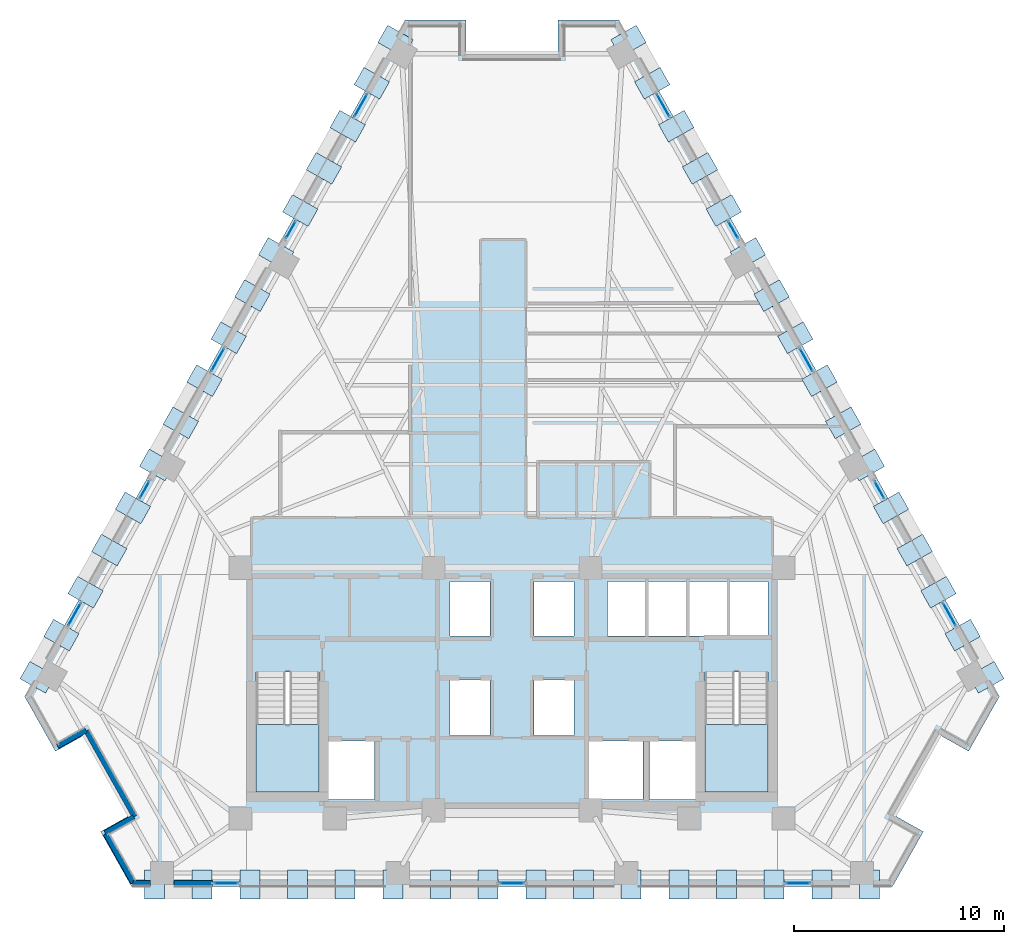
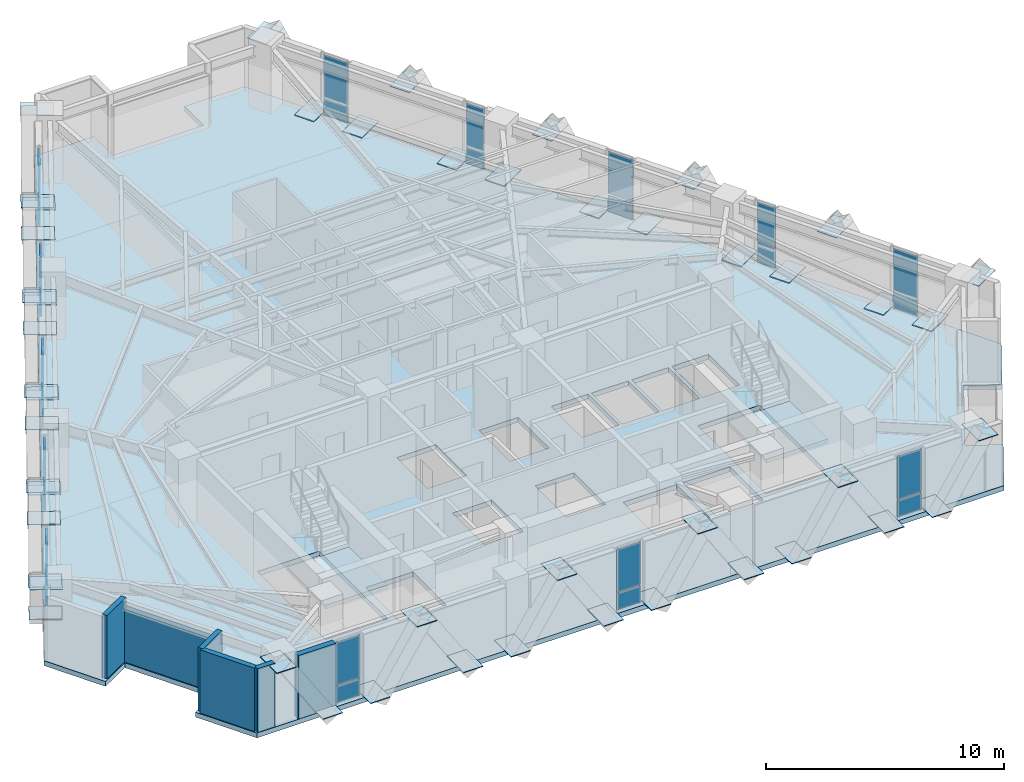
# One storey, part 6 of 13: 74 plates, 6 walls, 3 slabs, 15 elements without a shape of their own.
"""IFC4 building model written with IfcOpenShell, lengths in metres."""

from ifc_helpers import new_model, si_unit, direction, frame, frame_2d, origin, origin_2d, place, context, subcontext, project, spatial, polyline, rectangle, outline, extrude, material, layer, layer_set, type_object, element, aggregate, save


model = new_model("IFC4")

# Units and contexts
model_context = context("Model", 3, precision=1e-05, world=origin(), true_north=direction((0.0, 1.0)))
body_context = subcontext(model_context, "Body", "Model", "MODEL_VIEW")
ifc_project = project(units=[si_unit("LENGTHUNIT", "METRE"), si_unit("AREAUNIT", "SQUARE_METRE"), si_unit("VOLUMEUNIT", "CUBIC_METRE"), si_unit("PLANEANGLEUNIT", "RADIAN"), si_unit("MASSUNIT", "GRAM", prefix="KILO")], contexts=[model_context])

# Site, building, storey
site_placement = place(None, origin())
site = spatial("IfcSite", under=ifc_project, at=site_placement, CompositionType="ELEMENT")
building_placement = place(site_placement, origin())
building = spatial("IfcBuilding", under=site, at=building_placement, Name="Quenlor Broadcast Tower", CompositionType="ELEMENT")
storey_placement = place(building_placement, frame((0.0, 0.0, 116.0)))
storey = spatial("IfcBuildingStorey", under=building, at=storey_placement, Name="L31", CompositionType="ELEMENT", Elevation=116.0)

# Curtain wall, plates
ifc_material_1 = material(Name="Architectural Terracotta and Low-E Glazing", Category="masonry")
curtain_wall_type = type_object("IfcCurtainWallType", Name="Unitised Terracotta Curtain Wall System Z2", PredefinedType="NOTDEFINED", material=ifc_material_1)
curtain_wall_1_placement = place(storey_placement, origin())
curtain_wall_1 = element("IfcCurtainWall", 1, at=curtain_wall_1_placement, inside=storey, type_object=curtain_wall_type, Name="L31 Curtain Wall CW2 (L31-SA-G1)", PredefinedType="NOTDEFINED")
ifc_material_2 = material(Name="Double Glazed Low-E Solar Glass", Category="glass")
ifc_layer_1 = layer(ifc_material_2, 0.030029296875)
ifc_layer_set_1 = layer_set([ifc_layer_1], Name="CW2 Double Glazed Vision Panel 30")
plate_type_1 = type_object("IfcPlateType", Name="CW2 Double Glazed Vision Panel 30", PredefinedType="CURTAIN_PANEL", material=ifc_layer_set_1)
plate_1_placement = place(storey_placement, frame((13.63525390625, -19.840087890625, 0.074951171875), z_axis=(0.0, 0.0, 1.0), x_axis=(-1.0, 0.0, 0.0)))
plate_1 = element("IfcPlate", 2, at=plate_1_placement, type_object=plate_type_1, Name="CW2 panel 1.1", PredefinedType="CURTAIN_PANEL", context=body_context, shape_type="SweptSolid", body=[
    extrude(rectangle(XDim=1.1630859375, YDim=0.030029296875, at=origin_2d()), origin(), (0.0, 0.0, 1.0), 0.83740234375),
])
plate_2_placement = place(storey_placement, frame((13.63525390625, -19.840087890625, 0.987548828125), z_axis=(0.0, 0.0, 1.0), x_axis=(-1.0, 0.0, 0.0)))
plate_2 = element("IfcPlate", 3, at=plate_2_placement, type_object=plate_type_1, Name="CW2 panel 1.2", PredefinedType="CURTAIN_PANEL", context=body_context, shape_type="SweptSolid", body=[
    extrude(rectangle(XDim=1.1630859375, YDim=0.030029296875, at=origin_2d()), origin(), (0.0, 0.0, 1.0), 2.1875),
])
aggregate(curtain_wall_1, [plate_1, plate_2])

curtain_wall_2_placement = place(storey_placement, origin())
curtain_wall_2 = element("IfcCurtainWall", 4, at=curtain_wall_2_placement, inside=storey, type_object=curtain_wall_type, Name="L31 Curtain Wall CW2 (L31-SC-G1)", PredefinedType="NOTDEFINED")
plate_3_placement = place(storey_placement, frame((-13.63525390625, -19.840087890625, 0.074951171875), z_axis=(0.0, 0.0, 1.0), x_axis=(-1.0, 0.0, 0.0)))
plate_3 = element("IfcPlate", 5, at=plate_3_placement, type_object=plate_type_1, Name="CW2 panel 1.1", PredefinedType="CURTAIN_PANEL", context=body_context, shape_type="SweptSolid", body=[
    extrude(rectangle(XDim=1.1630859375, YDim=0.030029296875, at=origin_2d()), origin(), (0.0, 0.0, 1.0), 0.83740234375),
])
plate_4_placement = place(storey_placement, frame((-13.63525390625, -19.840087890625, 0.987548828125), z_axis=(0.0, 0.0, 1.0), x_axis=(-1.0, 0.0, 0.0)))
plate_4 = element("IfcPlate", 6, at=plate_4_placement, type_object=plate_type_1, Name="CW2 panel 1.2", PredefinedType="CURTAIN_PANEL", context=body_context, shape_type="SweptSolid", body=[
    extrude(rectangle(XDim=1.1630859375, YDim=0.030029296875, at=origin_2d()), origin(), (0.0, 0.0, 1.0), 2.1875),
])
aggregate(curtain_wall_2, [plate_3, plate_4])

curtain_wall_3_placement = place(storey_placement, origin())
curtain_wall_3 = element("IfcCurtainWall", 7, at=curtain_wall_3_placement, inside=storey, type_object=curtain_wall_type, Name="L31 Curtain Wall CW2 (L31-S-G1)", PredefinedType="NOTDEFINED")
plate_5_placement = place(storey_placement, frame((0.0, -19.840087890625, 0.074951171875), z_axis=(0.0, 0.0, 1.0), x_axis=(-1.0, 0.0, 0.0)))
plate_5 = element("IfcPlate", 8, at=plate_5_placement, type_object=plate_type_1, Name="CW2 panel 1.1", PredefinedType="CURTAIN_PANEL", context=body_context, shape_type="SweptSolid", body=[
    extrude(rectangle(XDim=1.1630859375, YDim=0.030029296875, at=origin_2d()), origin(), (0.0, 0.0, 1.0), 0.83740234375),
])
plate_6_placement = place(storey_placement, frame((0.0, -19.840087890625, 0.987548828125), z_axis=(0.0, 0.0, 1.0), x_axis=(-1.0, 0.0, 0.0)))
plate_6 = element("IfcPlate", 9, at=plate_6_placement, type_object=plate_type_1, Name="CW2 panel 1.2", PredefinedType="CURTAIN_PANEL", context=body_context, shape_type="SweptSolid", body=[
    extrude(rectangle(XDim=1.1630859375, YDim=0.030029296875, at=origin_2d()), origin(), (0.0, 0.0, 1.0), 2.1875),
])
aggregate(curtain_wall_3, [plate_5, plate_6])

curtain_wall_4_placement = place(storey_placement, origin())
curtain_wall_4 = element("IfcCurtainWall", 10, at=curtain_wall_4_placement, inside=storey, type_object=curtain_wall_type, Name="L31 Curtain Wall CW2 (L31-NEA-G1)", PredefinedType="NOTDEFINED")
plate_7_placement = place(storey_placement, frame((7.209228515625, 17.257080078125, 0.074951171875), z_axis=(0.0, 0.0, 1.0), x_axis=(0.490247320704, -0.871583366376, 0.0)))
plate_7 = element("IfcPlate", 11, at=plate_7_placement, type_object=plate_type_1, Name="CW2 panel 1.1", PredefinedType="CURTAIN_PANEL", context=body_context, shape_type="SweptSolid", body=[
    extrude(rectangle(XDim=1.21435546875, YDim=0.030029296875, at=origin_2d()), origin(), (0.0, 0.0, 1.0), 0.83740234375),
])
plate_8_placement = place(storey_placement, frame((7.209228515625, 17.257080078125, 0.987548828125), z_axis=(0.0, 0.0, 1.0), x_axis=(0.490247320704, -0.871583366376, 0.0)))
plate_8 = element("IfcPlate", 12, at=plate_8_placement, type_object=plate_type_1, Name="CW2 panel 1.2", PredefinedType="CURTAIN_PANEL", context=body_context, shape_type="SweptSolid", body=[
    extrude(rectangle(XDim=1.21435546875, YDim=0.030029296875, at=origin_2d()), origin(), (0.0, 0.0, 1.0), 2.1875),
])
aggregate(curtain_wall_4, [plate_7, plate_8])

curtain_wall_5_placement = place(storey_placement, origin())
curtain_wall_5 = element("IfcCurtainWall", 13, at=curtain_wall_5_placement, inside=storey, type_object=curtain_wall_type, Name="L31 Curtain Wall CW2 (L31-NEA-G2)", PredefinedType="NOTDEFINED")
plate_9_placement = place(storey_placement, frame((10.54736328125, 11.322998046875, 0.074951171875), z_axis=(0.0, 0.0, 1.0), x_axis=(0.490252261371, -0.871580587336, 0.0)))
plate_9 = element("IfcPlate", 14, at=plate_9_placement, type_object=plate_type_1, Name="CW2 panel 1.1", PredefinedType="CURTAIN_PANEL", context=body_context, shape_type="SweptSolid", body=[
    extrude(rectangle(XDim=0.90771484375, YDim=0.030029296875, at=origin_2d()), origin(), (0.0, 0.0, 1.0), 0.83740234375),
])
plate_10_placement = place(storey_placement, frame((10.54736328125, 11.322998046875, 0.987548828125), z_axis=(0.0, 0.0, 1.0), x_axis=(0.490252261371, -0.871580587336, 0.0)))
plate_10 = element("IfcPlate", 15, at=plate_10_placement, type_object=plate_type_1, Name="CW2 panel 1.2", PredefinedType="CURTAIN_PANEL", context=body_context, shape_type="SweptSolid", body=[
    extrude(rectangle(XDim=0.90771484375, YDim=0.030029296875, at=origin_2d()), origin(), (0.0, 0.0, 1.0), 2.1875),
])
aggregate(curtain_wall_5, [plate_9, plate_10])

curtain_wall_6_placement = place(storey_placement, origin())
curtain_wall_6 = element("IfcCurtainWall", 16, at=curtain_wall_6_placement, inside=storey, type_object=curtain_wall_type, Name="L31 Curtain Wall CW2 (L31-NEC-G1)", PredefinedType="NOTDEFINED")
plate_11_placement = place(storey_placement, frame((17.523681640625, -1.079833984375, 0.074951171875), z_axis=(0.0, 0.0, 1.0), x_axis=(0.490252261371, -0.871580587336, 0.0)))
plate_11 = element("IfcPlate", 17, at=plate_11_placement, type_object=plate_type_1, Name="CW2 panel 1.1", PredefinedType="CURTAIN_PANEL", context=body_context, shape_type="SweptSolid", body=[
    extrude(rectangle(XDim=0.90771484375, YDim=0.030029296875, at=origin_2d()), origin(), (0.0, 0.0, 1.0), 0.83740234375),
])
plate_12_placement = place(storey_placement, frame((17.523681640625, -1.079833984375, 0.987548828125), z_axis=(0.0, 0.0, 1.0), x_axis=(0.490252261371, -0.871580587336, 0.0)))
plate_12 = element("IfcPlate", 18, at=plate_12_placement, type_object=plate_type_1, Name="CW2 panel 1.2", PredefinedType="CURTAIN_PANEL", context=body_context, shape_type="SweptSolid", body=[
    extrude(rectangle(XDim=0.90771484375, YDim=0.030029296875, at=origin_2d()), origin(), (0.0, 0.0, 1.0), 2.1875),
])
aggregate(curtain_wall_6, [plate_11, plate_12])

curtain_wall_7_placement = place(storey_placement, origin())
curtain_wall_7 = element("IfcCurtainWall", 19, at=curtain_wall_7_placement, inside=storey, type_object=curtain_wall_type, Name="L31 Curtain Wall CW2 (L31-NEC-G2)", PredefinedType="NOTDEFINED")
plate_13_placement = place(storey_placement, frame((20.861572265625, -7.013916015625, 0.074951171875), z_axis=(0.0, 0.0, 1.0), x_axis=(0.490278639232, -0.871565749621, 0.0)))
plate_13 = element("IfcPlate", 20, at=plate_13_placement, type_object=plate_type_1, Name="CW2 panel 1.1", PredefinedType="CURTAIN_PANEL", context=body_context, shape_type="SweptSolid", body=[
    extrude(rectangle(XDim=1.21435546875, YDim=0.030029296875, at=origin_2d()), origin(), (0.0, 0.0, 1.0), 0.83740234375),
])
plate_14_placement = place(storey_placement, frame((20.861572265625, -7.013916015625, 0.987548828125), z_axis=(0.0, 0.0, 1.0), x_axis=(0.490278639232, -0.871565749621, 0.0)))
plate_14 = element("IfcPlate", 21, at=plate_14_placement, type_object=plate_type_1, Name="CW2 panel 1.2", PredefinedType="CURTAIN_PANEL", context=body_context, shape_type="SweptSolid", body=[
    extrude(rectangle(XDim=1.21435546875, YDim=0.030029296875, at=origin_2d()), origin(), (0.0, 0.0, 1.0), 2.1875),
])
aggregate(curtain_wall_7, [plate_13, plate_14])

curtain_wall_8_placement = place(storey_placement, origin())
curtain_wall_8 = element("IfcCurtainWall", 22, at=curtain_wall_8_placement, inside=storey, type_object=curtain_wall_type, Name="L31 Curtain Wall CW2 (L31-NE-G1)", PredefinedType="NOTDEFINED")
plate_15_placement = place(storey_placement, frame((14.035400390625, 5.12158203125, 0.074951171875), z_axis=(0.0, 0.0, 1.0), x_axis=(0.490254279037, -0.871579452423, 0.0)))
plate_15 = element("IfcPlate", 23, at=plate_15_placement, type_object=plate_type_1, Name="CW2 panel 1.1", PredefinedType="CURTAIN_PANEL", context=body_context, shape_type="SweptSolid", body=[
    extrude(rectangle(XDim=1.214111328125, YDim=0.030029296875, at=origin_2d()), origin(), (0.0, 0.0, 1.0), 0.83740234375),
])
plate_16_placement = place(storey_placement, frame((14.035400390625, 5.12158203125, 0.987548828125), z_axis=(0.0, 0.0, 1.0), x_axis=(0.490254279037, -0.871579452423, 0.0)))
plate_16 = element("IfcPlate", 24, at=plate_16_placement, type_object=plate_type_1, Name="CW2 panel 1.2", PredefinedType="CURTAIN_PANEL", context=body_context, shape_type="SweptSolid", body=[
    extrude(rectangle(XDim=1.214111328125, YDim=0.030029296875, at=origin_2d()), origin(), (0.0, 0.0, 1.0), 2.1875),
])
aggregate(curtain_wall_8, [plate_15, plate_16])

curtain_wall_9_placement = place(storey_placement, origin())
curtain_wall_9 = element("IfcCurtainWall", 25, at=curtain_wall_9_placement, inside=storey, type_object=curtain_wall_type, Name="L31 Curtain Wall CW2 (L31-NWA-G1)", PredefinedType="NOTDEFINED")
plate_17_placement = place(storey_placement, frame((-20.861572265625, -7.013916015625, 0.074951171875), z_axis=(0.0, 0.0, 1.0), x_axis=(0.490278639232, 0.871565749621, 0.0)))
plate_17 = element("IfcPlate", 26, at=plate_17_placement, type_object=plate_type_1, Name="CW2 panel 1.1", PredefinedType="CURTAIN_PANEL", context=body_context, shape_type="SweptSolid", body=[
    extrude(rectangle(XDim=1.21435546875, YDim=0.030029296875, at=origin_2d()), origin(), (0.0, 0.0, 1.0), 0.83740234375),
])
plate_18_placement = place(storey_placement, frame((-20.861572265625, -7.013916015625, 0.987548828125), z_axis=(0.0, 0.0, 1.0), x_axis=(0.490278639232, 0.871565749621, 0.0)))
plate_18 = element("IfcPlate", 27, at=plate_18_placement, type_object=plate_type_1, Name="CW2 panel 1.2", PredefinedType="CURTAIN_PANEL", context=body_context, shape_type="SweptSolid", body=[
    extrude(rectangle(XDim=1.21435546875, YDim=0.030029296875, at=origin_2d()), origin(), (0.0, 0.0, 1.0), 2.1875),
])
aggregate(curtain_wall_9, [plate_17, plate_18])

curtain_wall_10_placement = place(storey_placement, origin())
curtain_wall_10 = element("IfcCurtainWall", 28, at=curtain_wall_10_placement, inside=storey, type_object=curtain_wall_type, Name="L31 Curtain Wall CW2 (L31-NWA-G2)", PredefinedType="NOTDEFINED")
plate_19_placement = place(storey_placement, frame((-17.523681640625, -1.079833984375, 0.074951171875), z_axis=(0.0, 0.0, 1.0), x_axis=(0.490252261371, 0.871580587336, 0.0)))
plate_19 = element("IfcPlate", 29, at=plate_19_placement, type_object=plate_type_1, Name="CW2 panel 1.1", PredefinedType="CURTAIN_PANEL", context=body_context, shape_type="SweptSolid", body=[
    extrude(rectangle(XDim=0.90771484375, YDim=0.030029296875, at=origin_2d()), origin(), (0.0, 0.0, 1.0), 0.83740234375),
])
plate_20_placement = place(storey_placement, frame((-17.523681640625, -1.079833984375, 0.987548828125), z_axis=(0.0, 0.0, 1.0), x_axis=(0.490252261371, 0.871580587336, 0.0)))
plate_20 = element("IfcPlate", 30, at=plate_20_placement, type_object=plate_type_1, Name="CW2 panel 1.2", PredefinedType="CURTAIN_PANEL", context=body_context, shape_type="SweptSolid", body=[
    extrude(rectangle(XDim=0.90771484375, YDim=0.030029296875, at=origin_2d()), origin(), (0.0, 0.0, 1.0), 2.1875),
])
aggregate(curtain_wall_10, [plate_19, plate_20])

curtain_wall_11_placement = place(storey_placement, origin())
curtain_wall_11 = element("IfcCurtainWall", 31, at=curtain_wall_11_placement, inside=storey, type_object=curtain_wall_type, Name="L31 Curtain Wall CW2 (L31-NWC-G1)", PredefinedType="NOTDEFINED")
plate_21_placement = place(storey_placement, frame((-10.54736328125, 11.322998046875, 0.074951171875), z_axis=(0.0, 0.0, 1.0), x_axis=(0.490252261371, 0.871580587336, 0.0)))
plate_21 = element("IfcPlate", 32, at=plate_21_placement, type_object=plate_type_1, Name="CW2 panel 1.1", PredefinedType="CURTAIN_PANEL", context=body_context, shape_type="SweptSolid", body=[
    extrude(rectangle(XDim=0.90771484375, YDim=0.030029296875, at=origin_2d()), origin(), (0.0, 0.0, 1.0), 0.83740234375),
])
plate_22_placement = place(storey_placement, frame((-10.54736328125, 11.322998046875, 0.987548828125), z_axis=(0.0, 0.0, 1.0), x_axis=(0.490252261371, 0.871580587336, 0.0)))
plate_22 = element("IfcPlate", 33, at=plate_22_placement, type_object=plate_type_1, Name="CW2 panel 1.2", PredefinedType="CURTAIN_PANEL", context=body_context, shape_type="SweptSolid", body=[
    extrude(rectangle(XDim=0.90771484375, YDim=0.030029296875, at=origin_2d()), origin(), (0.0, 0.0, 1.0), 2.1875),
])
aggregate(curtain_wall_11, [plate_21, plate_22])

curtain_wall_12_placement = place(storey_placement, origin())
curtain_wall_12 = element("IfcCurtainWall", 34, at=curtain_wall_12_placement, inside=storey, type_object=curtain_wall_type, Name="L31 Curtain Wall CW2 (L31-NWC-G2)", PredefinedType="NOTDEFINED")
plate_23_placement = place(storey_placement, frame((-7.209228515625, 17.257080078125, 0.074951171875), z_axis=(0.0, 0.0, 1.0), x_axis=(0.490247320704, 0.871583366376, 0.0)))
plate_23 = element("IfcPlate", 35, at=plate_23_placement, type_object=plate_type_1, Name="CW2 panel 1.1", PredefinedType="CURTAIN_PANEL", context=body_context, shape_type="SweptSolid", body=[
    extrude(rectangle(XDim=1.21435546875, YDim=0.030029296875, at=origin_2d()), origin(), (0.0, 0.0, 1.0), 0.83740234375),
])
plate_24_placement = place(storey_placement, frame((-7.209228515625, 17.257080078125, 0.987548828125), z_axis=(0.0, 0.0, 1.0), x_axis=(0.490247320704, 0.871583366376, 0.0)))
plate_24 = element("IfcPlate", 36, at=plate_24_placement, type_object=plate_type_1, Name="CW2 panel 1.2", PredefinedType="CURTAIN_PANEL", context=body_context, shape_type="SweptSolid", body=[
    extrude(rectangle(XDim=1.21435546875, YDim=0.030029296875, at=origin_2d()), origin(), (0.0, 0.0, 1.0), 2.1875),
])
aggregate(curtain_wall_12, [plate_23, plate_24])

curtain_wall_13_placement = place(storey_placement, origin())
curtain_wall_13 = element("IfcCurtainWall", 37, at=curtain_wall_13_placement, inside=storey, type_object=curtain_wall_type, Name="L31 Curtain Wall CW2 (L31-NW-G1)", PredefinedType="NOTDEFINED")
plate_25_placement = place(storey_placement, frame((-14.035400390625, 5.12158203125, 0.074951171875), z_axis=(0.0, 0.0, 1.0), x_axis=(0.490254279037, 0.871579452423, 0.0)))
plate_25 = element("IfcPlate", 38, at=plate_25_placement, type_object=plate_type_1, Name="CW2 panel 1.1", PredefinedType="CURTAIN_PANEL", context=body_context, shape_type="SweptSolid", body=[
    extrude(rectangle(XDim=1.214111328125, YDim=0.030029296875, at=origin_2d()), origin(), (0.0, 0.0, 1.0), 0.83740234375),
])
plate_26_placement = place(storey_placement, frame((-14.035400390625, 5.12158203125, 0.987548828125), z_axis=(0.0, 0.0, 1.0), x_axis=(0.490254279037, 0.871579452423, 0.0)))
plate_26 = element("IfcPlate", 39, at=plate_26_placement, type_object=plate_type_1, Name="CW2 panel 1.2", PredefinedType="CURTAIN_PANEL", context=body_context, shape_type="SweptSolid", body=[
    extrude(rectangle(XDim=1.214111328125, YDim=0.030029296875, at=origin_2d()), origin(), (0.0, 0.0, 1.0), 2.1875),
])
aggregate(curtain_wall_13, [plate_25, plate_26])

# Stair, slab
ifc_material_3 = material(Name="Precast concrete C40/50", Category="concrete")
stair_type = type_object("IfcStairType", Name="Precast Concrete C40/50 Dogleg Stair H350", PredefinedType="HALF_TURN_STAIR", material=ifc_material_3)
stair_1_placement = place(storey_placement, origin())
stair_1 = element("IfcStair", 40, at=stair_1_placement, inside=storey, type_object=stair_type, Name="L31 West Core Fire-Isolated Exit Stair ST-1", PredefinedType="HALF_TURN_STAIR")
ifc_material_4 = material(Name="Precast concrete C40/50", Category="concrete")
ifc_layer_2 = layer(ifc_material_4, 0.199951171875)
ifc_layer_set_2 = layer_set([ifc_layer_2], Name="Precast Concrete C40/50 Stair Landing Slab 200")
slab_type_1 = type_object("IfcSlabType", Name="Precast Concrete C40/50 Stair Landing Slab 200", PredefinedType="LANDING", material=ifc_layer_set_2)
slab_1_placement = place(storey_placement, frame((0.0, 0.0, 1.550048828125)))
slab_1 = element("IfcSlab", 41, at=slab_1_placement, type_object=slab_type_1, Name="ST-1 landing 1", PredefinedType="LANDING", context=body_context, shape_type="SweptSolid", body=[
    extrude(outline(polyline([(-12.199951171875, -12.27001953125), (-12.199951171875, -15.5), (-9.199951171875, -15.5), (-9.199951171875, -12.27001953125), (-12.199951171875, -12.27001953125)])), origin(), (0.0, 0.0, 1.0), 0.199951171875),
])
aggregate(stair_1, [slab_1])

stair_2_placement = place(storey_placement, origin())
stair_2 = element("IfcStair", 42, at=stair_2_placement, inside=storey, type_object=stair_type, Name="L31 East Core Fire-Isolated Exit Stair ST-2", PredefinedType="HALF_TURN_STAIR")
slab_2_placement = place(storey_placement, frame((0.0, 0.0, 1.550048828125)))
slab_2 = element("IfcSlab", 43, at=slab_2_placement, type_object=slab_type_1, Name="ST-2 landing 1", PredefinedType="LANDING", context=body_context, shape_type="SweptSolid", body=[
    extrude(outline(polyline([(9.199951171875, -12.27001953125), (9.199951171875, -15.5), (12.199951171875, -15.5), (12.199951171875, -12.27001953125), (9.199951171875, -12.27001953125)])), origin(), (0.0, 0.0, 1.0), 0.199951171875),
])
aggregate(stair_2, [slab_2])

# Slab
ifc_material_5 = material(Name="Concrete C40/50", Category="concrete")
ifc_layer_3 = layer(ifc_material_5, 0.25)
ifc_layer_set_3 = layer_set([ifc_layer_3], Name="Tower Composite Concrete C40/50 Slab 250")
slab_type_2 = type_object("IfcSlabType", Name="Tower Composite Concrete C40/50 Slab 250", PredefinedType="FLOOR", material=ifc_layer_set_3)
slab_3_placement = place(storey_placement, frame((0.0, 0.0, -0.25)))
element("IfcSlab", 44, at=slab_3_placement, inside=storey, type_object=slab_type_2, Name="L31 Structural Floor Slab", PredefinedType="FLOOR", context=body_context, shape_type="SweptSolid", body=[
    extrude(outline(polyline([(18.14404296875, -20.0), (19.616943359375, -17.381591796875), (18.222412109375, -16.596923828125), (20.379638671875, -12.76220703125), (21.774169921875, -13.54638671875), (23.2470703125, -10.927978515625), (5.10302734375, 21.327880859375), (2.199951171875, 21.327880859375), (2.199951171875, 19.72802734375), (-2.199951171875, 19.72802734375), (-2.199951171875, 21.327880859375), (-5.10302734375, 21.327880859375), (-23.2470703125, -10.927978515625), (-21.774169921875, -13.54638671875), (-20.379638671875, -12.76220703125), (-18.222412109375, -16.596923828125), (-19.616943359375, -17.381591796875), (-18.14404296875, -20.0), (18.14404296875, -20.0)]), holes=[polyline([(-12.199951171875, -9.758056640625), (-12.199951171875, -15.5), (-9.199951171875, -15.5), (-9.199951171875, -9.758056640625), (-12.199951171875, -9.758056640625)]), polyline([(9.199951171875, -9.758056640625), (9.199951171875, -15.5), (12.199951171875, -15.5), (12.199951171875, -9.758056640625), (9.199951171875, -9.758056640625)]), polyline([(-2.949951171875, -8.050048828125), (-1.050048828125, -8.050048828125), (-1.050048828125, -5.449951171875), (-2.949951171875, -5.449951171875), (-2.949951171875, -8.050048828125)]), polyline([(1.050048828125, -8.050048828125), (2.949951171875, -8.050048828125), (2.949951171875, -5.449951171875), (1.050048828125, -5.449951171875), (1.050048828125, -8.050048828125)]), polyline([(-2.949951171875, -12.800048828125), (-1.050048828125, -12.800048828125), (-1.050048828125, -10.14990234375), (-2.949951171875, -10.14990234375), (-2.949951171875, -12.800048828125)]), polyline([(1.050048828125, -12.800048828125), (2.949951171875, -12.800048828125), (2.949951171875, -10.14990234375), (1.050048828125, -10.14990234375), (1.050048828125, -12.800048828125)]), polyline([(4.550048828125, -8.050048828125), (6.35009765625, -8.050048828125), (6.35009765625, -5.449951171875), (4.550048828125, -5.449951171875), (4.550048828125, -8.050048828125)]), polyline([(6.5, -8.050048828125), (8.300048828125, -8.050048828125), (8.300048828125, -5.449951171875), (6.5, -5.449951171875), (6.5, -8.050048828125)]), polyline([(8.449951171875, -8.050048828125), (10.25, -8.050048828125), (10.25, -5.449951171875), (8.449951171875, -5.449951171875), (8.449951171875, -8.050048828125)]), polyline([(10.39990234375, -8.050048828125), (12.199951171875, -8.050048828125), (12.199951171875, -5.449951171875), (10.39990234375, -5.449951171875), (10.39990234375, -8.050048828125)]), polyline([(-8.85009765625, -15.85009765625), (-6.550048828125, -15.85009765625), (-6.550048828125, -13.050048828125), (-8.85009765625, -13.050048828125), (-8.85009765625, -15.85009765625)]), polyline([(6.550048828125, -15.85009765625), (8.85009765625, -15.85009765625), (8.85009765625, -13.050048828125), (6.550048828125, -13.050048828125), (6.550048828125, -15.85009765625)]), polyline([(3.64990234375, -15.85009765625), (6.25, -15.85009765625), (6.25, -13.050048828125), (3.64990234375, -13.050048828125), (3.64990234375, -15.85009765625)])]), origin(), (0.0, 0.0, 1.0), 0.25),
])

# Plates
ifc_material_6 = material(Name="Steel S355", Category="steel")
ifc_layer_4 = layer(ifc_material_6, 0.035888671875)
ifc_layer_set_4 = layer_set([ifc_layer_4], Name="Transfer Truss Steel S355 Gusset Node Plate 1400x950x36")
plate_type_2 = type_object("IfcPlateType", Name="Transfer Truss Steel S355 Gusset Node Plate 1400x950x36", PredefinedType="SHEET", material=ifc_layer_set_4)
for number, where, z_axis, x_axis, name in (
    (45, (12.4853515625, -19.89990234375, 0.0419921875), (0.0, 0.0, 1.0), (0.0, -1.0, 0.0), "L31 Lattice Tie Gusset Node S-B2"),
    (46, (10.226318359375, -19.89990234375, 3.18212890625), (0.0, 0.0, 1.0), (0.0, -1.0, 0.0), "L31 Lattice Tie Gusset Node S-T3"),
    (47, (14.78515625, -19.89990234375, 0.0419921875), (0.0, 0.0, 1.0), (0.0, -1.0, 0.0), "L31 Lattice Tie Gusset Node S-B1"),
    (48, (17.0439453125, -19.89990234375, 3.18212890625), (0.0, 0.0, 1.0), (0.0, -1.0, 0.0), "L31 Lattice Tie Gusset Node S-T0"),
    (49, (5.667724609375, -19.89990234375, 0.0419921875), (0.0, 0.0, 1.0), (0.0, -1.0, 0.0), "L31 Lattice Tie Gusset Node S-B5"),
    (50, (3.40869140625, -19.89990234375, 3.18212890625), (0.0, 0.0, 1.0), (0.0, -1.0, 0.0), "L31 Lattice Tie Gusset Node S-T6"),
    (51, (7.967529296875, -19.89990234375, 0.0419921875), (0.0, 0.0, 1.0), (0.0, -1.0, 0.0), "L31 Lattice Tie Gusset Node S-B4"),
    (52, (-1.14990234375, -19.89990234375, 0.0419921875), (0.0, 0.0, 1.0), (0.0, -1.0, 0.0), "L31 Lattice Tie Gusset Node S-B8"),
    (53, (-3.40869140625, -19.89990234375, 3.18212890625), (0.0, 0.0, 1.0), (0.0, -1.0, 0.0), "L31 Lattice Tie Gusset Node S-T9"),
    (54, (1.14990234375, -19.89990234375, 0.0419921875), (0.0, 0.0, 1.0), (0.0, -1.0, 0.0), "L31 Lattice Tie Gusset Node S-B7"),
    (55, (-7.967529296875, -19.89990234375, 0.0419921875), (0.0, 0.0, 1.0), (0.0, -1.0, 0.0), "L31 Lattice Tie Gusset Node S-B11"),
    (56, (-10.226318359375, -19.89990234375, 3.18212890625), (0.0, 0.0, 1.0), (0.0, -1.0, 0.0), "L31 Lattice Tie Gusset Node S-T12"),
    (57, (-5.667724609375, -19.89990234375, 0.0419921875), (0.0, 0.0, 1.0), (0.0, -1.0, 0.0), "L31 Lattice Tie Gusset Node S-B10"),
    (58, (-14.78515625, -19.89990234375, 0.0419921875), (0.0, 0.0, 1.0), (0.0, -1.0, 0.0), "L31 Lattice Tie Gusset Node S-B14"),
    (59, (-17.0439453125, -19.89990234375, 3.18212890625), (0.0, 0.0, 1.0), (0.0, -1.0, 0.0), "L31 Lattice Tie Gusset Node S-T15"),
    (60, (-12.4853515625, -19.89990234375, 0.0419921875), (0.0, 0.0, 1.0), (0.0, -1.0, 0.0), "L31 Lattice Tie Gusset Node S-B13"),
    (61, (7.83740234375, 16.262939453125, 0.0419921875), (0.0, 0.0, 1.0), (0.871556314255, 0.490295412055, 0.0), "L31 Lattice Tie Gusset Node NE-B2"),
    (62, (8.96826171875, 14.252685546875, 3.18212890625), (0.0, 0.0, 1.0), (0.871556314255, 0.490295412055, 0.0), "L31 Lattice Tie Gusset Node NE-T3"),
    (63, (6.68603515625, 18.309814453125, 0.0419921875), (0.0, 0.0, 1.0), (0.871556314255, 0.490295412055, 0.0), "L31 Lattice Tie Gusset Node NE-B1"),
    (64, (5.55517578125, 20.3203125, 3.18212890625), (0.0, 0.0, 1.0), (0.871556314255, 0.490295412055, 0.0), "L31 Lattice Tie Gusset Node NE-T0"),
    (65, (11.25048828125, 10.1953125, 0.0419921875), (0.0, 0.0, 1.0), (0.871556314255, 0.490295412055, 0.0), "L31 Lattice Tie Gusset Node NE-B5"),
    (66, (12.38134765625, 8.184814453125, 3.18212890625), (0.0, 0.0, 1.0), (0.871556314255, 0.490295412055, 0.0), "L31 Lattice Tie Gusset Node NE-T6"),
    (67, (10.09912109375, 12.2421875, 0.0419921875), (0.0, 0.0, 1.0), (0.871556314255, 0.490295412055, 0.0), "L31 Lattice Tie Gusset Node NE-B4"),
    (68, (14.66357421875, 4.127685546875, 0.0419921875), (0.0, 0.0, 1.0), (0.871556314255, 0.490295412055, 0.0), "L31 Lattice Tie Gusset Node NE-B8"),
    (69, (15.794189453125, 2.1171875, 3.18212890625), (0.0, 0.0, 1.0), (0.871556314255, 0.490295412055, 0.0), "L31 Lattice Tie Gusset Node NE-T9"),
    (70, (13.51220703125, 6.17431640625, 0.0419921875), (0.0, 0.0, 1.0), (0.871556314255, 0.490295412055, 0.0), "L31 Lattice Tie Gusset Node NE-B7"),
    (71, (18.07666015625, -1.940185546875, 0.0419921875), (0.0, 0.0, 1.0), (0.871556314255, 0.490295412055, 0.0), "L31 Lattice Tie Gusset Node NE-B11"),
    (72, (19.20751953125, -3.950439453125, 3.18212890625), (0.0, 0.0, 1.0), (0.871556314255, 0.490295412055, 0.0), "L31 Lattice Tie Gusset Node NE-T12"),
    (73, (16.92529296875, 0.106689453125, 0.0419921875), (0.0, 0.0, 1.0), (0.871556314255, 0.490295412055, 0.0), "L31 Lattice Tie Gusset Node NE-B10"),
    (74, (21.489501953125, -8.0078125, 0.0419921875), (0.0, 0.0, 1.0), (0.871556314255, 0.490295412055, 0.0), "L31 Lattice Tie Gusset Node NE-B14"),
    (75, (22.62060546875, -10.018310546875, 3.18212890625), (0.0, 0.0, 1.0), (0.871556314255, 0.490295412055, 0.0), "L31 Lattice Tie Gusset Node NE-T15"),
    (76, (20.33837890625, -5.9609375, 0.0419921875), (0.0, 0.0, 1.0), (0.871556314255, 0.490295412055, 0.0), "L31 Lattice Tie Gusset Node NE-B13"),
    (77, (-20.33837890625, -5.9609375, 0.0419921875), (0.0, 0.0, 1.0), (-0.871556314255, 0.490295412055, 0.0), "L31 Lattice Tie Gusset Node NW-B2"),
    (78, (-19.20751953125, -3.950439453125, 3.18212890625), (0.0, 0.0, 1.0), (-0.871556314255, 0.490295412055, 0.0), "L31 Lattice Tie Gusset Node NW-T3"),
    (79, (-21.489501953125, -8.0078125, 0.0419921875), (0.0, 0.0, 1.0), (-0.871556314255, 0.490295412055, 0.0), "L31 Lattice Tie Gusset Node NW-B1"),
    (80, (-22.62060546875, -10.018310546875, 3.18212890625), (0.0, 0.0, 1.0), (-0.871556314255, 0.490295412055, 0.0), "L31 Lattice Tie Gusset Node NW-T0"),
    (81, (-16.92529296875, 0.106689453125, 0.0419921875), (0.0, 0.0, 1.0), (-0.871556314255, 0.490295412055, 0.0), "L31 Lattice Tie Gusset Node NW-B5"),
    (82, (-15.794189453125, 2.1171875, 3.18212890625), (0.0, 0.0, 1.0), (-0.871556314255, 0.490295412055, 0.0), "L31 Lattice Tie Gusset Node NW-T6"),
    (83, (-18.07666015625, -1.940185546875, 0.0419921875), (0.0, 0.0, 1.0), (-0.871556314255, 0.490295412055, 0.0), "L31 Lattice Tie Gusset Node NW-B4"),
    (84, (-13.51220703125, 6.17431640625, 0.0419921875), (0.0, 0.0, 1.0), (-0.871556314255, 0.490295412055, 0.0), "L31 Lattice Tie Gusset Node NW-B8"),
    (85, (-12.38134765625, 8.184814453125, 3.18212890625), (0.0, 0.0, 1.0), (-0.871556314255, 0.490295412055, 0.0), "L31 Lattice Tie Gusset Node NW-T9"),
    (86, (-14.66357421875, 4.127685546875, 0.0419921875), (0.0, 0.0, 1.0), (-0.871556314255, 0.490295412055, 0.0), "L31 Lattice Tie Gusset Node NW-B7"),
    (87, (-10.09912109375, 12.2421875, 0.0419921875), (0.0, 0.0, 1.0), (-0.871556314255, 0.490295412055, 0.0), "L31 Lattice Tie Gusset Node NW-B11"),
    (88, (-8.96826171875, 14.252685546875, 3.18212890625), (0.0, 0.0, 1.0), (-0.871556314255, 0.490295412055, 0.0), "L31 Lattice Tie Gusset Node NW-T12"),
    (89, (-11.25048828125, 10.1953125, 0.0419921875), (0.0, 0.0, 1.0), (-0.871556314255, 0.490295412055, 0.0), "L31 Lattice Tie Gusset Node NW-B10"),
    (90, (-6.68603515625, 18.309814453125, 0.0419921875), (0.0, 0.0, 1.0), (-0.871556314255, 0.490295412055, 0.0), "L31 Lattice Tie Gusset Node NW-B14"),
    (91, (-5.55517578125, 20.3203125, 3.18212890625), (0.0, 0.0, 1.0), (-0.871556314255, 0.490295412055, 0.0), "L31 Lattice Tie Gusset Node NW-T15"),
    (92, (-7.83740234375, 16.262939453125, 0.0419921875), (0.0, 0.0, 1.0), (-0.871556314255, 0.490295412055, 0.0), "L31 Lattice Tie Gusset Node NW-B13"),
):
    element("IfcPlate", number, at=place(storey_placement, frame(where, z_axis=z_axis, x_axis=x_axis)), inside=storey, type_object=plate_type_2, Name=name, PredefinedType="SHEET", context=body_context, shape_type="SweptSolid", body=[
        extrude(rectangle(XDim=1.39990234375, YDim=0.949951171875, at=origin_2d()), origin(), (0.0, 0.0, 1.0), 0.035888671875),
    ])

# Walls
ifc_material_7 = material(Name="Precast concrete C40/50", Category="concrete")
ifc_layer_5 = layer(ifc_material_7, 0.239990234375)
ifc_layer_set_5 = layer_set([ifc_layer_5], Name="Terrace Threshold Precast Concrete C40/50 Wall 240")
wall_type_1 = type_object("IfcWallType", Name="Terrace Threshold Precast Concrete C40/50 Wall 240", PredefinedType="STANDARD", material=ifc_layer_set_5)
wall_1_placement = place(storey_placement, frame((-17.24755859375, -19.840087890625, 0.0), z_axis=(0.0, 0.0, 1.0), x_axis=(-1.0, 0.0, 0.0)))
element("IfcWall", 93, at=wall_1_placement, inside=storey, type_object=wall_type_1, Name="L31 Exterior Wall L31-SHD-SS1", PredefinedType="STANDARD", context=body_context, shape_type="SweptSolid", body=[
    extrude(rectangle(XDim=0.83642578125, YDim=0.239990234375, at=frame_2d((0.418212890625, 0.0))), origin(), (0.0, 0.0, 1.0), 3.25),
])
wall_2_placement = place(storey_placement, frame((-21.67822265625, -13.30908203125, 0.0), z_axis=(0.0, 0.0, 1.0), x_axis=(0.871546278971, 0.490313250496, 0.0)))
element("IfcWall", 94, at=wall_2_placement, inside=storey, type_object=wall_type_1, Name="L31 Exterior Wall L31-CNR-13", PredefinedType="STANDARD", context=body_context, shape_type="SweptSolid", body=[
    extrude(rectangle(XDim=1.56005859375, YDim=0.239990234375, at=frame_2d((0.780029296875, 0.0))), origin(), (0.0, 0.0, 1.0), 3.25),
])
wall_3_placement = place(storey_placement, frame((-20.299072265625, -12.5791015625, 0.0), z_axis=(0.0, 0.0, 1.0), x_axis=(0.490313250496, -0.871546278971, 0.0)))
element("IfcWall", 95, at=wall_3_placement, inside=storey, type_object=wall_type_1, Name="L31 Exterior Wall L31-CNR-14", PredefinedType="STANDARD", context=body_context, shape_type="SweptSolid", body=[
    extrude(rectangle(XDim=4.679931640625, YDim=0.239990234375, at=frame_2d((2.33984375, 0.0))), origin(), (0.0, 0.0, 1.0), 2.7216796875),
])
wall_4_placement = place(storey_placement, frame((-18.039306640625, -16.677490234375, 0.0), z_axis=(0.0, 0.0, 1.0), x_axis=(-0.871546278971, -0.490313250496, 0.0)))
element("IfcWall", 96, at=wall_4_placement, inside=storey, type_object=wall_type_1, Name="L31 Exterior Wall L31-CNR-15", PredefinedType="STANDARD", context=body_context, shape_type="SweptSolid", body=[
    extrude(rectangle(XDim=1.56005859375, YDim=0.239990234375, at=frame_2d((0.780029296875, 0.0))), origin(), (0.0, 0.0, 1.0), 3.25),
])
wall_5_placement = place(storey_placement, frame((-19.37939453125, -17.477294921875, 0.0), z_axis=(0.0, 0.0, 1.0), x_axis=(0.49023085981, -0.871592625078, 0.0)))
element("IfcWall", 97, at=wall_5_placement, inside=storey, type_object=wall_type_1, Name="L31 Exterior Wall L31-CNR-16", PredefinedType="STANDARD", context=body_context, shape_type="SweptSolid", body=[
    extrude(rectangle(XDim=2.6708984375, YDim=0.239990234375, at=frame_2d((1.33544921875, 0.0))), origin(), (0.0, 0.0, 1.0), 3.25),
])
ifc_material_8 = material(Name="Precast concrete C40/50", Category="concrete")
ifc_layer_6 = layer(ifc_material_8, 0.280029296875)
ifc_layer_set_6 = layer_set([ifc_layer_6], Name="Terracotta Precast Concrete C40/50 Facade Wall 280")
wall_type_2 = type_object("IfcWallType", Name="Terracotta Precast Concrete C40/50 Facade Wall 280", PredefinedType="STANDARD", material=ifc_layer_set_6)
wall_6_placement = place(storey_placement, frame((-14.291748046875, -19.840087890625, 0.0), z_axis=(0.0, 0.0, 1.0), x_axis=(-1.0, 0.0, 0.0)))
element("IfcWall", 98, at=wall_6_placement, inside=storey, type_object=wall_type_2, Name="L31 Exterior Wall L31-SC-SP2", PredefinedType="STANDARD", context=body_context, shape_type="SweptSolid", body=[
    extrude(rectangle(XDim=1.82568359375, YDim=0.280029296875, at=frame_2d((0.912841796875, 0.0))), origin(), (0.0, 0.0, 1.0), 3.25),
])

save(model, "model.ifc")
